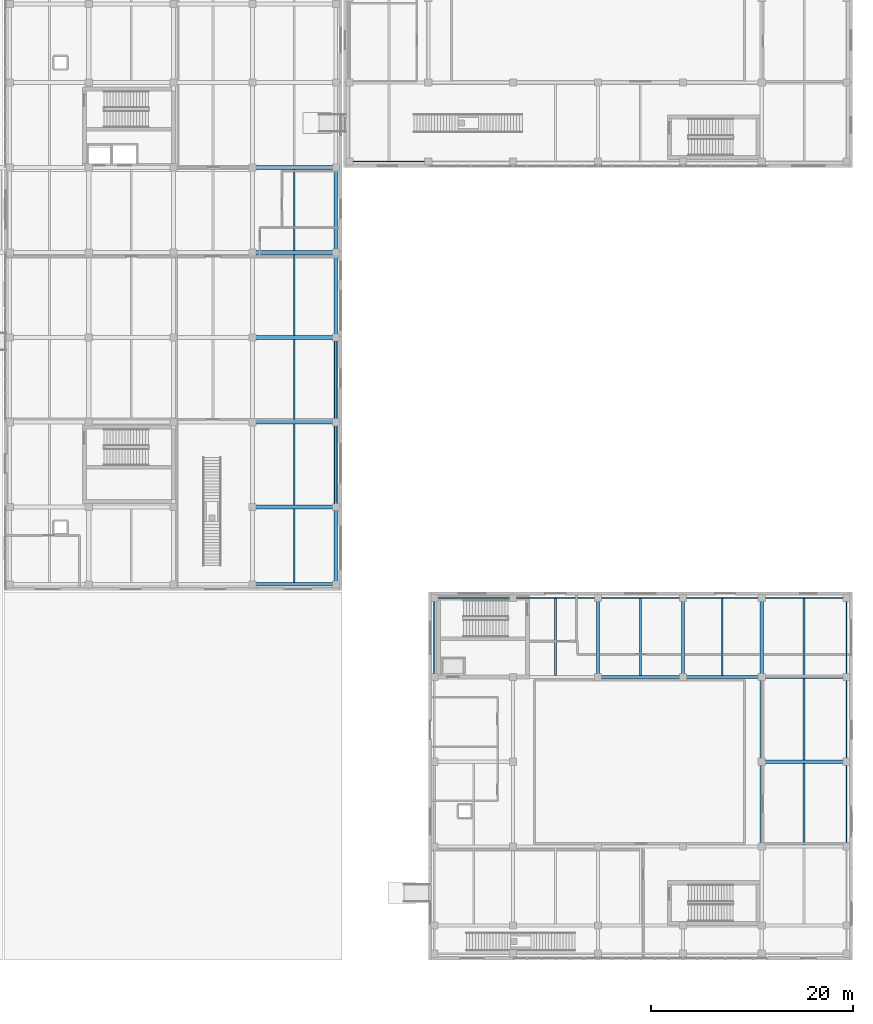
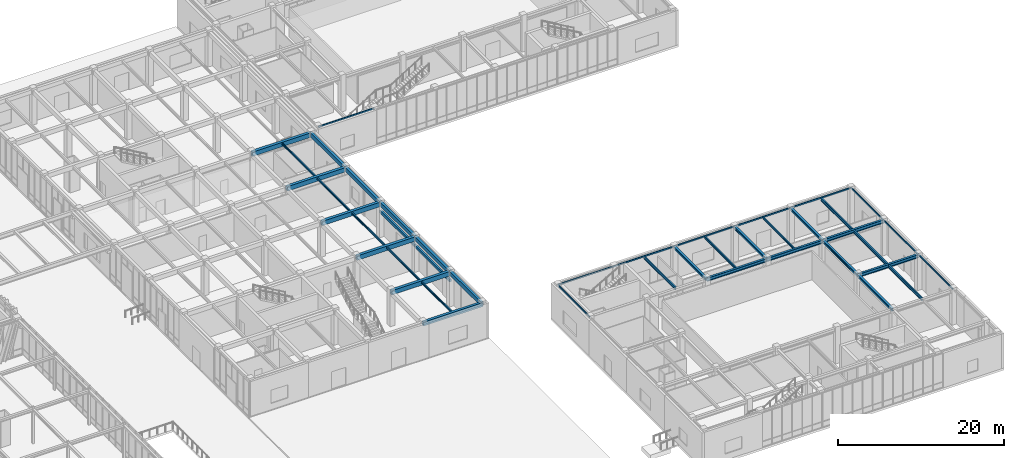
# One storey, part 73 of 122: 43 beams.
"""IFC4 building model written with IfcOpenShell, lengths in metres."""

from ifc_helpers import new_model, si_unit, direction, frame, origin, origin_2d, place, context, subcontext, project, spatial, rectangle, hollow_rectangle, i_section, extrude, material, material_profile, profile_set, type_object, element, save


model = new_model("IFC4")

# Units and contexts
model_context = context("Model", 3, precision=1e-05, world=origin(), true_north=direction((0.0, 1.0)))
body_context = subcontext(model_context, "Body", "Model", "MODEL_VIEW")
ifc_project = project(units=[si_unit("LENGTHUNIT", "METRE"), si_unit("AREAUNIT", "SQUARE_METRE"), si_unit("VOLUMEUNIT", "CUBIC_METRE"), si_unit("PLANEANGLEUNIT", "RADIAN"), si_unit("MASSUNIT", "GRAM", prefix="KILO")], contexts=[model_context])

# Site, building, storey
site_placement = place(None, origin())
site = spatial("IfcSite", under=ifc_project, at=site_placement, CompositionType="ELEMENT")
building_placement = place(site_placement, origin())
building = spatial("IfcBuilding", under=site, at=building_placement, Name="Zayran Congress Hotel", CompositionType="ELEMENT")
storey_placement = place(building_placement, origin())
storey = spatial("IfcBuildingStorey", under=building, at=storey_placement, Name="L00", CompositionType="ELEMENT", Elevation=0.0)

# Beams
ifc_material_1 = material(Name="Concrete C40/50", Category="concrete")
ifc_material_profile_1 = material_profile(ifc_material_1, rectangle(XDim=0.39990234375, YDim=0.64990234375, at=origin_2d()), Name="RC 400x650")
ifc_profile_set_1 = profile_set([ifc_material_profile_1], Name="Concrete C40/50")
beam_type_1 = type_object("IfcBeamType", Name="TP-BM-03", PredefinedType="BEAM", material=ifc_profile_set_1)
for number, where, z_axis, x_axis, name in (
    (1, (133.800048828125, 50.800048828125, 4.77490234375), (1.0, 0.0, 0.0), (0.0, 1.0, 0.0), "BM-V4-L00-1213"),
    (2, (133.800048828125, 59.199951171875, 4.77490234375), (1.0, 0.0, 0.0), (0.0, 1.0, 0.0), "BM-V4-L00-1217"),
    (3, (133.800048828125, 67.60009765625, 4.77490234375), (1.0, 0.0, 0.0), (0.0, 1.0, 0.0), "BM-V4-L00-1221"),
    (4, (133.800048828125, 76.0, 4.77490234375), (1.0, 0.0, 0.0), (0.0, 1.0, 0.0), "BM-V4-L00-1225"),
    (5, (133.800048828125, 84.39990234375, 4.77490234375), (1.0, 0.0, 0.0), (0.0, 1.0, 0.0), "BM-V4-L00-1229"),
):
    element("IfcBeam", number, at=place(storey_placement, frame(where, z_axis=z_axis, x_axis=x_axis)), inside=storey, type_object=beam_type_1, Name=name, PredefinedType="BEAM", context=body_context, shape_type="SweptSolid", body=[
        extrude(rectangle(XDim=0.39990234375, YDim=0.64990234375, at=origin_2d()), origin(), (0.0, 0.0, 1.0), 8.25),
    ])
ifc_material_profile_2 = material_profile(ifc_material_1, rectangle(XDim=0.35009765625, YDim=0.60009765625, at=origin_2d()), Name="RC 350x600")
ifc_profile_set_2 = profile_set([ifc_material_profile_2], Name="Concrete C40/50")
beam_type_2 = type_object("IfcBeamType", Name="TP-SP-01", PredefinedType="SPANDREL", material=ifc_profile_set_2)
beam_1_placement = place(storey_placement, frame((133.800048828125, 43.14990234375, 4.800048828125), z_axis=(1.0, 0.0, 0.0), x_axis=(0.0, 1.0, 0.0)))
element("IfcBeam", 6, at=beam_1_placement, inside=storey, type_object=beam_type_2, Name="BM-V4-L00-1210", PredefinedType="SPANDREL", context=body_context, shape_type="SweptSolid", body=[
    extrude(rectangle(XDim=0.35009765625, YDim=0.60009765625, at=origin_2d()), origin(), (0.0, 0.0, 1.0), 8.25),
])
beam_2_placement = place(storey_placement, frame((142.050048828125, 43.14990234375, 4.800048828125), z_axis=(0.0, 1.0, 0.0), x_axis=(-1.0, 0.0, 0.0)))
element("IfcBeam", 7, at=beam_2_placement, inside=storey, type_object=beam_type_2, Name="BM-V4-L00-1272", PredefinedType="SPANDREL", context=body_context, shape_type="SweptSolid", body=[
    extrude(rectangle(XDim=0.35009765625, YDim=0.60009765625, at=origin_2d()), origin(), (0.0, 0.0, 1.0), 7.650146484375),
])
beam_3_placement = place(storey_placement, frame((142.050048828125, 50.800048828125, 4.800048828125), z_axis=(0.0, 1.0, 0.0), x_axis=(-1.0, 0.0, 0.0)))
element("IfcBeam", 8, at=beam_3_placement, inside=storey, type_object=beam_type_2, Name="BM-V4-L00-1273", PredefinedType="SPANDREL", context=body_context, shape_type="SweptSolid", body=[
    extrude(rectangle(XDim=0.35009765625, YDim=0.60009765625, at=origin_2d()), origin(), (0.0, 0.0, 1.0), 8.39990234375),
])
beam_4_placement = place(storey_placement, frame((142.050048828125, 59.199951171875, 4.800048828125), z_axis=(0.0, 1.0, 0.0), x_axis=(-1.0, 0.0, 0.0)))
element("IfcBeam", 9, at=beam_4_placement, inside=storey, type_object=beam_type_2, Name="BM-V4-L00-1274", PredefinedType="SPANDREL", context=body_context, shape_type="SweptSolid", body=[
    extrude(rectangle(XDim=0.35009765625, YDim=0.60009765625, at=origin_2d()), origin(), (0.0, 0.0, 1.0), 8.400146484375),
])
for number, where, z_axis, x_axis, name in (
    (10, (142.050048828125, 67.60009765625, 4.800048828125), (0.0, 1.0, 0.0), (-1.0, 0.0, 0.0), "BM-V4-L00-1275"),
    (11, (142.050048828125, 76.0, 4.800048828125), (0.0, 1.0, 0.0), (-1.0, 0.0, 0.0), "BM-V4-L00-1276"),
):
    element("IfcBeam", number, at=place(storey_placement, frame(where, z_axis=z_axis, x_axis=x_axis)), inside=storey, type_object=beam_type_2, Name=name, PredefinedType="SPANDREL", context=body_context, shape_type="SweptSolid", body=[
        extrude(rectangle(XDim=0.35009765625, YDim=0.60009765625, at=origin_2d()), origin(), (0.0, 0.0, 1.0), 8.39990234375),
    ])
ifc_material_profile_3 = material_profile(ifc_material_1, rectangle(XDim=0.25, YDim=0.39990234375, at=origin_2d()), Name="RC 250x400")
ifc_profile_set_3 = profile_set([ifc_material_profile_3], Name="Concrete C40/50")
beam_type_3 = type_object("IfcBeamType", Name="TP-LN-01", PredefinedType="LINTEL", material=ifc_profile_set_3)
beam_5_placement = place(storey_placement, frame((142.050048828125, 50.800048828125, 3.60009765625), z_axis=(0.0, 1.0, 0.0), x_axis=(-1.0, 0.0, 0.0)))
element("IfcBeam", 12, at=beam_5_placement, inside=storey, type_object=beam_type_3, Name="BM-LIN-03", PredefinedType="LINTEL", context=body_context, shape_type="SweptSolid", body=[
    extrude(rectangle(XDim=0.25, YDim=0.39990234375, at=origin_2d()), origin(), (0.0, 0.0, 1.0), 8.39990234375),
])
beam_6_placement = place(storey_placement, frame((142.050048828125, 59.199951171875, 3.60009765625), z_axis=(0.0, 1.0, 0.0), x_axis=(-1.0, 0.0, 0.0)))
element("IfcBeam", 13, at=beam_6_placement, inside=storey, type_object=beam_type_3, Name="BM-LIN-04", PredefinedType="LINTEL", context=body_context, shape_type="SweptSolid", body=[
    extrude(rectangle(XDim=0.25, YDim=0.39990234375, at=origin_2d()), origin(), (0.0, 0.0, 1.0), 8.400146484375),
])
ifc_material_2 = material(Name="Steel S355", Category="steel")
ifc_material_profile_4 = material_profile(ifc_material_2, i_section(OverallWidth=0.300048828125, OverallDepth=0.489990234375, WebThickness=0.011962890625, FlangeThickness=0.02294921875, at=origin_2d()), Name="HEA 500")
ifc_profile_set_4 = profile_set([ifc_material_profile_4], Name="Steel S355")
beam_type_4 = type_object("IfcBeamType", Name="TP-BM-05", PredefinedType="BEAM", material=ifc_profile_set_4)
beam_7_placement = place(storey_placement, frame((184.199951171875, 25.60009765625, 4.85498046875), z_axis=(1.0, 0.0, 0.0), x_axis=(0.0, 1.0, 0.0)))
element("IfcBeam", 14, at=beam_7_placement, inside=storey, type_object=beam_type_4, Name="BM-V3-L00-1065", PredefinedType="BEAM", context=body_context, shape_type="SweptSolid", body=[
    extrude(i_section(OverallWidth=0.300048828125, OverallDepth=0.489990234375, WebThickness=0.011962890625, FlangeThickness=0.02294921875, at=origin_2d()), origin(), (0.0, 0.0, 1.0), 8.400146484375),
])
beam_8_placement = place(storey_placement, frame((168.0, 34.0, 4.85498046875), z_axis=(1.0, 0.0, 0.0), x_axis=(0.0, 1.0, 0.0)))
element("IfcBeam", 15, at=beam_8_placement, inside=storey, type_object=beam_type_4, Name="BM-V3-L00-1068", PredefinedType="BEAM", context=body_context, shape_type="SweptSolid", body=[
    extrude(i_section(OverallWidth=0.300048828125, OverallDepth=0.489990234375, WebThickness=0.011962890625, FlangeThickness=0.02294921875, at=origin_2d()), origin(), (0.0, 0.0, 1.0), 8.39990234375),
])
beam_9_placement = place(storey_placement, frame((176.39990234375, 34.0, 4.85498046875), z_axis=(1.0, 0.0, 0.0), x_axis=(0.0, 1.0, 0.0)))
element("IfcBeam", 16, at=beam_9_placement, inside=storey, type_object=beam_type_4, Name="BM-V3-L00-1069", PredefinedType="BEAM", context=body_context, shape_type="SweptSolid", body=[
    extrude(i_section(OverallWidth=0.300048828125, OverallDepth=0.489990234375, WebThickness=0.011962890625, FlangeThickness=0.02294921875, at=origin_2d()), origin(), (0.0, 0.0, 1.0), 7.800048828125),
])
beam_10_placement = place(storey_placement, frame((184.199951171875, 34.0, 4.85498046875), z_axis=(1.0, 0.0, 0.0), x_axis=(0.0, 1.0, 0.0)))
element("IfcBeam", 17, at=beam_10_placement, inside=storey, type_object=beam_type_4, Name="BM-V3-L00-1070", PredefinedType="BEAM", context=body_context, shape_type="SweptSolid", body=[
    extrude(i_section(OverallWidth=0.300048828125, OverallDepth=0.489990234375, WebThickness=0.011962890625, FlangeThickness=0.02294921875, at=origin_2d()), origin(), (0.0, 0.0, 1.0), 8.400146484375),
])
ifc_material_profile_5 = material_profile(ifc_material_2, i_section(OverallWidth=0.300048828125, OverallDepth=0.389892578125, WebThickness=0.010986328125, FlangeThickness=0.01904296875, at=origin_2d()), Name="HEA 400")
ifc_profile_set_5 = profile_set([ifc_material_profile_5], Name="Steel S355")
beam_type_5 = type_object("IfcBeamType", Name="TP-BM-06", PredefinedType="BEAM", material=ifc_profile_set_5)
for number, where, z_axis, x_axis, name in (
    (18, (168.0, 34.0, 4.905029296875), (0.0, 1.0, 0.0), (-1.0, 0.0, 0.0), "BM-V3-L00-1086"),
    (19, (176.39990234375, 34.0, 4.905029296875), (0.0, 1.0, 0.0), (-1.0, 0.0, 0.0), "BM-V3-L00-1088"),
):
    element("IfcBeam", number, at=place(storey_placement, frame(where, z_axis=z_axis, x_axis=x_axis)), inside=storey, type_object=beam_type_5, Name=name, PredefinedType="BEAM", context=body_context, shape_type="SweptSolid", body=[
        extrude(i_section(OverallWidth=0.300048828125, OverallDepth=0.389892578125, WebThickness=0.010986328125, FlangeThickness=0.01904296875, at=origin_2d()), origin(), (0.0, 0.0, 1.0), 7.800048828125),
    ])
beam_11_placement = place(storey_placement, frame((184.199951171875, 17.199951171875, 4.905029296875), z_axis=(0.0, 1.0, 0.0), x_axis=(-1.0, 0.0, 0.0)))
element("IfcBeam", 20, at=beam_11_placement, inside=storey, type_object=beam_type_5, Name="BM-V3-L00-1091", PredefinedType="BEAM", context=body_context, shape_type="SweptSolid", body=[
    extrude(i_section(OverallWidth=0.300048828125, OverallDepth=0.389892578125, WebThickness=0.010986328125, FlangeThickness=0.01904296875, at=origin_2d()), origin(), (0.0, 0.0, 1.0), 8.400146484375),
])
beam_12_placement = place(storey_placement, frame((184.199951171875, 25.60009765625, 4.905029296875), z_axis=(0.0, 1.0, 0.0), x_axis=(-1.0, 0.0, 0.0)))
element("IfcBeam", 21, at=beam_12_placement, inside=storey, type_object=beam_type_5, Name="BM-V3-L00-1092", PredefinedType="BEAM", context=body_context, shape_type="SweptSolid", body=[
    extrude(i_section(OverallWidth=0.300048828125, OverallDepth=0.389892578125, WebThickness=0.010986328125, FlangeThickness=0.01904296875, at=origin_2d()), origin(), (0.0, 0.0, 1.0), 8.39990234375),
])
beam_13_placement = place(storey_placement, frame((184.199951171875, 34.0, 4.905029296875), z_axis=(0.0, 1.0, 0.0), x_axis=(-1.0, 0.0, 0.0)))
element("IfcBeam", 22, at=beam_13_placement, inside=storey, type_object=beam_type_5, Name="BM-V3-L00-1093", PredefinedType="BEAM", context=body_context, shape_type="SweptSolid", body=[
    extrude(i_section(OverallWidth=0.300048828125, OverallDepth=0.389892578125, WebThickness=0.010986328125, FlangeThickness=0.01904296875, at=origin_2d()), origin(), (0.0, 0.0, 1.0), 7.800048828125),
])
ifc_material_profile_6 = material_profile(ifc_material_2, i_section(OverallWidth=0.18994140625, OverallDepth=0.449951171875, WebThickness=0.009521484375, FlangeThickness=0.0146484375, at=origin_2d()), Name="IPE 450")
ifc_profile_set_6 = profile_set([ifc_material_profile_6], Name="Steel S355")
beam_type_6 = type_object("IfcBeamType", Name="TP-JS-02", PredefinedType="JOIST", material=ifc_profile_set_6)
beam_14_placement = place(storey_placement, frame((188.39990234375, 17.35009765625, 4.875), z_axis=(0.0, 1.0, 0.0), x_axis=(-1.0, 0.0, 0.0)))
element("IfcBeam", 23, at=beam_14_placement, inside=storey, type_object=beam_type_6, Name="JST-V3-L00-1108", PredefinedType="JOIST", context=body_context, shape_type="SweptSolid", body=[
    extrude(i_section(OverallWidth=0.18994140625, OverallDepth=0.449951171875, WebThickness=0.009521484375, FlangeThickness=0.0146484375, at=origin_2d()), origin(), (0.0, 0.0, 1.0), 8.099853515625),
])
beam_15_placement = place(storey_placement, frame((188.39990234375, 25.75, 4.875), z_axis=(0.0, 1.0, 0.0), x_axis=(-1.0, 0.0, 0.0)))
element("IfcBeam", 24, at=beam_15_placement, inside=storey, type_object=beam_type_6, Name="JST-V3-L00-1109", PredefinedType="JOIST", context=body_context, shape_type="SweptSolid", body=[
    extrude(i_section(OverallWidth=0.18994140625, OverallDepth=0.449951171875, WebThickness=0.009521484375, FlangeThickness=0.0146484375, at=origin_2d()), origin(), (0.0, 0.0, 1.0), 8.10009765625),
])
beam_16_placement = place(storey_placement, frame((188.39990234375, 34.14990234375, 4.875), z_axis=(0.0, 1.0, 0.0), x_axis=(-1.0, 0.0, 0.0)))
element("IfcBeam", 25, at=beam_16_placement, inside=storey, type_object=beam_type_6, Name="JST-V3-L00-1110", PredefinedType="JOIST", context=body_context, shape_type="SweptSolid", body=[
    extrude(i_section(OverallWidth=0.18994140625, OverallDepth=0.449951171875, WebThickness=0.009521484375, FlangeThickness=0.0146484375, at=origin_2d()), origin(), (0.0, 0.0, 1.0), 7.590087890625),
])
ifc_material_profile_7 = material_profile(ifc_material_2, i_section(OverallWidth=0.179931640625, OverallDepth=0.39990234375, WebThickness=0.008544921875, FlangeThickness=0.013427734375, at=origin_2d()), Name="IPE 400")
ifc_profile_set_7 = profile_set([ifc_material_profile_7], Name="Steel S355")
beam_type_7 = type_object("IfcBeamType", Name="TP-JS-03", PredefinedType="JOIST", material=ifc_profile_set_7)
beam_17_placement = place(storey_placement, frame((163.800048828125, 34.14990234375, 4.89990234375), z_axis=(0.0, 1.0, 0.0), x_axis=(-1.0, 0.0, 0.0)))
element("IfcBeam", 26, at=beam_17_placement, inside=storey, type_object=beam_type_7, Name="JST-V3-L00-1103", PredefinedType="JOIST", context=body_context, shape_type="SweptSolid", body=[
    extrude(i_section(OverallWidth=0.179931640625, OverallDepth=0.39990234375, WebThickness=0.008544921875, FlangeThickness=0.013427734375, at=origin_2d()), origin(), (0.0, 0.0, 1.0), 7.590087890625),
])
ifc_material_profile_8 = material_profile(ifc_material_2, i_section(OverallWidth=0.169921875, OverallDepth=0.360107421875, WebThickness=0.008056640625, FlangeThickness=0.0126953125, at=origin_2d()), Name="IPE 360")
ifc_profile_set_8 = profile_set([ifc_material_profile_8], Name="Steel S355")
beam_type_8 = type_object("IfcBeamType", Name="TP-JS-04", PredefinedType="JOIST", material=ifc_profile_set_8)
beam_18_placement = place(storey_placement, frame((172.199951171875, 34.14990234375, 4.919921875), z_axis=(0.0, 1.0, 0.0), x_axis=(-1.0, 0.0, 0.0)))
element("IfcBeam", 27, at=beam_18_placement, inside=storey, type_object=beam_type_8, Name="JST-V3-L00-1105", PredefinedType="JOIST", context=body_context, shape_type="SweptSolid", body=[
    extrude(i_section(OverallWidth=0.169921875, OverallDepth=0.360107421875, WebThickness=0.008056640625, FlangeThickness=0.0126953125, at=origin_2d()), origin(), (0.0, 0.0, 1.0), 7.590087890625),
])
ifc_material_profile_9 = material_profile(ifc_material_2, i_section(OverallWidth=0.14990234375, OverallDepth=0.300048828125, WebThickness=0.007080078125, FlangeThickness=0.0107421875, at=origin_2d()), Name="IPE 300")
ifc_profile_set_9 = profile_set([ifc_material_profile_9], Name="Steel S355")
beam_type_9 = type_object("IfcBeamType", Name="TP-JS-05", PredefinedType="JOIST", material=ifc_profile_set_9)
beam_19_placement = place(storey_placement, frame((180.300048828125, 34.14990234375, 4.949951171875), z_axis=(0.0, 1.0, 0.0), x_axis=(-1.0, 0.0, 0.0)))
element("IfcBeam", 28, at=beam_19_placement, inside=storey, type_object=beam_type_9, Name="JST-V3-L00-1106", PredefinedType="JOIST", context=body_context, shape_type="SweptSolid", body=[
    extrude(i_section(OverallWidth=0.14990234375, OverallDepth=0.300048828125, WebThickness=0.007080078125, FlangeThickness=0.0107421875, at=origin_2d()), origin(), (0.0, 0.0, 1.0), 7.590087890625),
])
beam_20_placement = place(storey_placement, frame((137.925048828125, 43.324951171875, 4.949951171875), z_axis=(0.0, 1.0, 0.0), x_axis=(-1.0, 0.0, 0.0)))
element("IfcBeam", 29, at=beam_20_placement, inside=storey, type_object=beam_type_9, Name="JST-V4-L00-1300", PredefinedType="JOIST", context=body_context, shape_type="SweptSolid", body=[
    extrude(i_section(OverallWidth=0.14990234375, OverallDepth=0.300048828125, WebThickness=0.007080078125, FlangeThickness=0.0107421875, at=origin_2d()), origin(), (0.0, 0.0, 1.0), 7.275146484375),
])
for number, where, z_axis, x_axis, name in (
    (30, (137.925048828125, 51.0, 4.949951171875), (0.0, 1.0, 0.0), (-1.0, 0.0, 0.0), "JST-V4-L00-1301"),
    (31, (137.925048828125, 59.39990234375, 4.949951171875), (0.0, 1.0, 0.0), (-1.0, 0.0, 0.0), "JST-V4-L00-1302"),
    (32, (137.925048828125, 67.800048828125, 4.949951171875), (0.0, 1.0, 0.0), (-1.0, 0.0, 0.0), "JST-V4-L00-1303"),
    (33, (137.925048828125, 76.199951171875, 4.949951171875), (0.0, 1.0, 0.0), (-1.0, 0.0, 0.0), "JST-V4-L00-1304"),
):
    element("IfcBeam", number, at=place(storey_placement, frame(where, z_axis=z_axis, x_axis=x_axis)), inside=storey, type_object=beam_type_9, Name=name, PredefinedType="JOIST", context=body_context, shape_type="SweptSolid", body=[
        extrude(i_section(OverallWidth=0.14990234375, OverallDepth=0.300048828125, WebThickness=0.007080078125, FlangeThickness=0.0107421875, at=origin_2d()), origin(), (0.0, 0.0, 1.0), 8.0),
    ])
ifc_material_profile_10 = material_profile(ifc_material_2, hollow_rectangle(XDim=0.1201171875, YDim=0.199951171875, WallThickness=0.008056640625, at=origin_2d()), Name="RHS 200x120x8")
ifc_profile_set_10 = profile_set([ifc_material_profile_10], Name="Steel S355")
beam_type_10 = type_object("IfcBeamType", Name="TP-SP-02", PredefinedType="SPANDREL", material=ifc_profile_set_10)
for number, where, z_axis, x_axis, name in (
    (34, (143.39990234375, 85.0, 4.97998046875), (1.0, 0.0, 0.0), (0.0, 1.0, 0.0), "BM-V2-L00-0896"),
    (35, (151.800048828125, 41.800048828125, 5.0), (1.0, 0.0, 0.0), (0.0, 1.0, 0.0), "BM-V3-L00-1071"),
):
    element("IfcBeam", number, at=place(storey_placement, frame(where, z_axis=z_axis, x_axis=x_axis)), inside=storey, type_object=beam_type_10, Name=name, PredefinedType="SPANDREL", context=body_context, shape_type="SweptSolid", body=[
        extrude(hollow_rectangle(XDim=0.1201171875, YDim=0.199951171875, WallThickness=0.008056640625, at=origin_2d()), origin(), (0.0, 0.0, 1.0), 7.800048828125),
    ])
for number, where, z_axis, x_axis, name in (
    (36, (159.60009765625, 41.800048828125, 5.0), (1.0, 0.0, 0.0), (0.0, 1.0, 0.0), "BM-V3-L00-1072"),
    (37, (168.0, 41.800048828125, 5.0), (1.0, 0.0, 0.0), (0.0, 1.0, 0.0), "BM-V3-L00-1073"),
):
    element("IfcBeam", number, at=place(storey_placement, frame(where, z_axis=z_axis, x_axis=x_axis)), inside=storey, type_object=beam_type_10, Name=name, PredefinedType="SPANDREL", context=body_context, shape_type="SweptSolid", body=[
        extrude(hollow_rectangle(XDim=0.1201171875, YDim=0.199951171875, WallThickness=0.008056640625, at=origin_2d()), origin(), (0.0, 0.0, 1.0), 8.39990234375),
    ])
beam_21_placement = place(storey_placement, frame((176.39990234375, 41.800048828125, 5.0), z_axis=(1.0, 0.0, 0.0), x_axis=(0.0, 1.0, 0.0)))
element("IfcBeam", 38, at=beam_21_placement, inside=storey, type_object=beam_type_10, Name="BM-V3-L00-1074", PredefinedType="SPANDREL", context=body_context, shape_type="SweptSolid", body=[
    extrude(hollow_rectangle(XDim=0.1201171875, YDim=0.199951171875, WallThickness=0.008056640625, at=origin_2d()), origin(), (0.0, 0.0, 1.0), 7.800048828125),
])
beam_22_placement = place(storey_placement, frame((184.199951171875, 41.800048828125, 5.0), z_axis=(1.0, 0.0, 0.0), x_axis=(0.0, 1.0, 0.0)))
element("IfcBeam", 39, at=beam_22_placement, inside=storey, type_object=beam_type_10, Name="BM-V3-L00-1075", PredefinedType="SPANDREL", context=body_context, shape_type="SweptSolid", body=[
    extrude(hollow_rectangle(XDim=0.1201171875, YDim=0.199951171875, WallThickness=0.008056640625, at=origin_2d()), origin(), (0.0, 0.0, 1.0), 8.400146484375),
])
beam_23_placement = place(storey_placement, frame((151.800048828125, 34.0, 5.0), z_axis=(0.0, 1.0, 0.0), x_axis=(-1.0, 0.0, 0.0)))
element("IfcBeam", 40, at=beam_23_placement, inside=storey, type_object=beam_type_10, Name="BM-V3-L00-1080", PredefinedType="SPANDREL", context=body_context, shape_type="SweptSolid", body=[
    extrude(hollow_rectangle(XDim=0.1201171875, YDim=0.199951171875, WallThickness=0.008056640625, at=origin_2d()), origin(), (0.0, 0.0, 1.0), 7.800048828125),
])
beam_24_placement = place(storey_placement, frame((192.60009765625, 17.199951171875, 5.0), z_axis=(0.0, 1.0, 0.0), x_axis=(-1.0, 0.0, 0.0)))
element("IfcBeam", 41, at=beam_24_placement, inside=storey, type_object=beam_type_10, Name="BM-V3-L00-1096", PredefinedType="SPANDREL", context=body_context, shape_type="SweptSolid", body=[
    extrude(hollow_rectangle(XDim=0.1201171875, YDim=0.199951171875, WallThickness=0.008056640625, at=origin_2d()), origin(), (0.0, 0.0, 1.0), 8.400146484375),
])
beam_25_placement = place(storey_placement, frame((192.60009765625, 25.60009765625, 5.0), z_axis=(0.0, 1.0, 0.0), x_axis=(-1.0, 0.0, 0.0)))
element("IfcBeam", 42, at=beam_25_placement, inside=storey, type_object=beam_type_10, Name="BM-V3-L00-1097", PredefinedType="SPANDREL", context=body_context, shape_type="SweptSolid", body=[
    extrude(hollow_rectangle(XDim=0.1201171875, YDim=0.199951171875, WallThickness=0.008056640625, at=origin_2d()), origin(), (0.0, 0.0, 1.0), 8.39990234375),
])
beam_26_placement = place(storey_placement, frame((192.60009765625, 34.0, 5.0), z_axis=(0.0, 1.0, 0.0), x_axis=(-1.0, 0.0, 0.0)))
element("IfcBeam", 43, at=beam_26_placement, inside=storey, type_object=beam_type_10, Name="BM-V3-L00-1098", PredefinedType="SPANDREL", context=body_context, shape_type="SweptSolid", body=[
    extrude(hollow_rectangle(XDim=0.1201171875, YDim=0.199951171875, WallThickness=0.008056640625, at=origin_2d()), origin(), (0.0, 0.0, 1.0), 7.800048828125),
])

save(model, "model.ifc")
